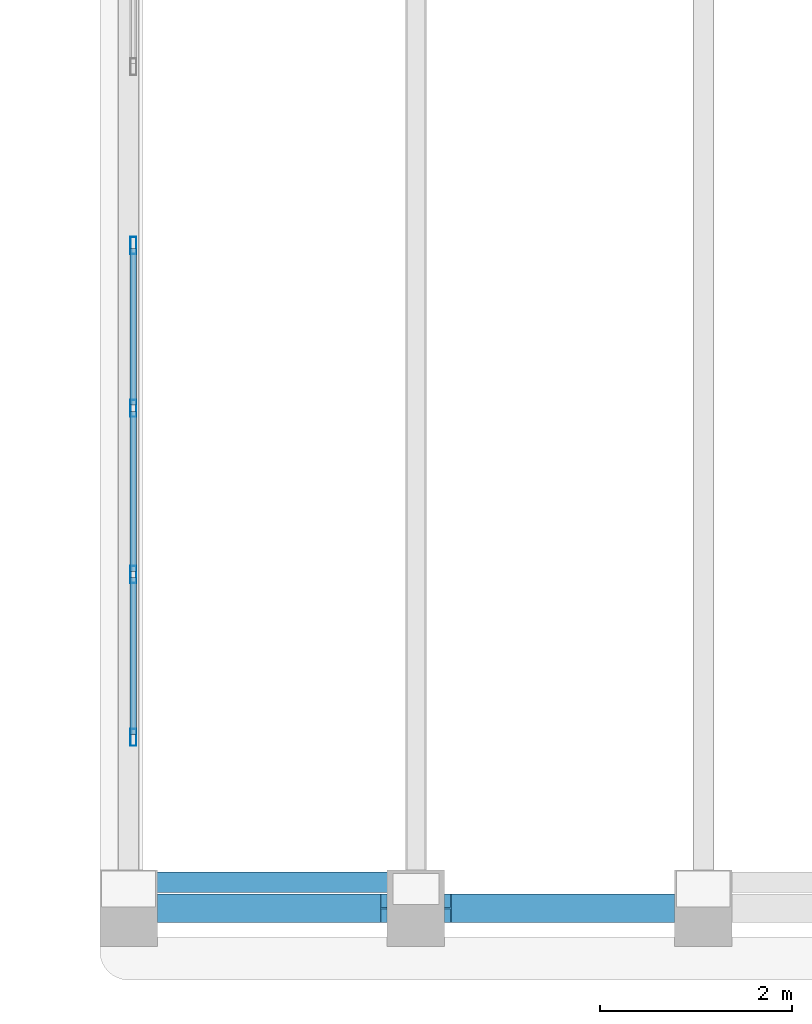
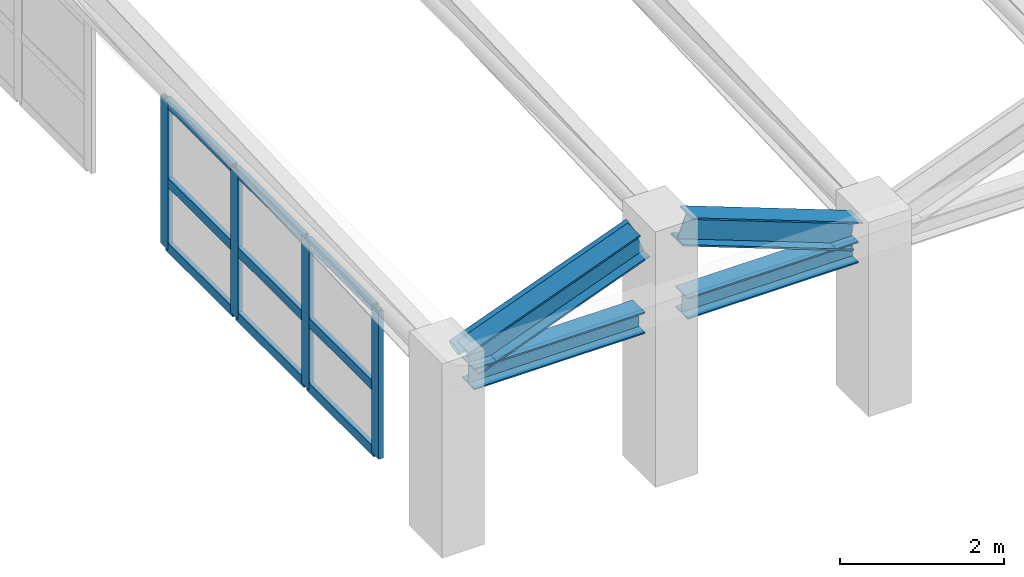
# One storey, part 9 of 128: 14 members, 4 beams, 1 element without a shape of its own.
"""IFC4 building model written with IfcOpenShell, lengths in metres."""

from ifc_helpers import new_model, si_unit, direction, frame, origin, origin_2d, place, context, subcontext, project, spatial, hollow_rectangle, hollow_circle, i_section, extrude, material, layer, layer_set, material_profile, profile_set, type_object, element, aggregate, save


model = new_model("IFC4")

# Units and contexts
model_context = context("Model", 3, precision=1e-05, world=origin(), true_north=direction((0.0, 1.0)))
body_context = subcontext(model_context, "Body", "Model", "MODEL_VIEW")
ifc_project = project(units=[si_unit("LENGTHUNIT", "METRE"), si_unit("AREAUNIT", "SQUARE_METRE"), si_unit("VOLUMEUNIT", "CUBIC_METRE"), si_unit("PLANEANGLEUNIT", "RADIAN"), si_unit("MASSUNIT", "GRAM", prefix="KILO")], contexts=[model_context])

# Site, building, storey
site_placement = place(None, origin())
site = spatial("IfcSite", under=ifc_project, at=site_placement, CompositionType="ELEMENT")
building_placement = place(site_placement, origin())
building = spatial("IfcBuilding", under=site, at=building_placement, Name="Keldmere Railside Commons", CompositionType="ELEMENT")
storey_placement = place(building_placement, frame((0.0, 0.0, 4.159912109375)))
storey = spatial("IfcBuildingStorey", under=building, at=storey_placement, Name="L01", CompositionType="ELEMENT", Elevation=4.159912109375)

# Curtain wall, members
ifc_material_1 = material(Name="Thermally Broken Aluminium", Category="aluminium")
ifc_layer = layer(ifc_material_1, 0.159912109375, Name="Community Hall Side Clerestory CW 5200x2200")
ifc_layer_set = layer_set([ifc_layer], Name="Thermally Broken Aluminium")
curtain_wall_type = type_object("IfcCurtainWallType", Name="Community Hall Side Clerestory CW 5200x2200", PredefinedType="NOTDEFINED", material=ifc_layer_set)
curtain_wall_placement = place(storey_placement, origin())
curtain_wall = element("IfcCurtainWall", 1, at=curtain_wall_placement, inside=storey, type_object=curtain_wall_type, Name="CW-06 CW-L01-203", PredefinedType="NOTDEFINED")
ifc_material_profile_1 = material_profile(ifc_material_1, hollow_rectangle(XDim=0.06494140625, YDim=0.179931640625, WallThickness=0.00390625, at=origin_2d()), Name="ALU-MULL-65x180")
ifc_profile_set_1 = profile_set([ifc_material_profile_1], Name="Thermally Broken Aluminium")
member_type_1 = type_object("IfcMemberType", Name="Civic Tall Curtain Wall Mullion 65x180", PredefinedType="MULLION", material=ifc_profile_set_1)
member_1_placement = place(storey_placement, frame((64.050048828125, 14.232421875, 0.090087890625), z_axis=(0.0, 0.0, 1.0), x_axis=(-1.0, 0.0, 0.0)))
member_1 = element("IfcMember", 2, at=member_1_placement, type_object=member_type_1, Name="CW-06 mullion 1", PredefinedType="MULLION", context=body_context, shape_type="SweptSolid", body=[
    extrude(hollow_rectangle(XDim=0.06494140625, YDim=0.179931640625, WallThickness=0.00390625, at=origin_2d()), origin(), (0.0, 0.0, 1.0), 2.199951171875),
])
member_2_placement = place(storey_placement, frame((64.050048828125, 15.933349609375, 0.090087890625), z_axis=(0.0, 0.0, 1.0), x_axis=(-1.0, 0.0, 0.0)))
member_2 = element("IfcMember", 3, at=member_2_placement, type_object=member_type_1, Name="CW-06 mullion 2", PredefinedType="MULLION", context=body_context, shape_type="SweptSolid", body=[
    extrude(hollow_rectangle(XDim=0.06494140625, YDim=0.179931640625, WallThickness=0.00390625, at=origin_2d()), origin(), (0.0, 0.0, 1.0), 2.199951171875),
])
member_3_placement = place(storey_placement, frame((64.050048828125, 17.666748046875, 0.090087890625), z_axis=(0.0, 0.0, 1.0), x_axis=(-1.0, 0.0, 0.0)))
member_3 = element("IfcMember", 4, at=member_3_placement, type_object=member_type_1, Name="CW-06 mullion 3", PredefinedType="MULLION", context=body_context, shape_type="SweptSolid", body=[
    extrude(hollow_rectangle(XDim=0.06494140625, YDim=0.179931640625, WallThickness=0.00390625, at=origin_2d()), origin(), (0.0, 0.0, 1.0), 2.199951171875),
])
member_4_placement = place(storey_placement, frame((64.050048828125, 19.367431640625, 0.090087890625), z_axis=(0.0, 0.0, 1.0), x_axis=(-1.0, 0.0, 0.0)))
member_4 = element("IfcMember", 5, at=member_4_placement, type_object=member_type_1, Name="CW-06 mullion 4", PredefinedType="MULLION", context=body_context, shape_type="SweptSolid", body=[
    extrude(hollow_rectangle(XDim=0.06494140625, YDim=0.179931640625, WallThickness=0.00390625, at=origin_2d()), origin(), (0.0, 0.0, 1.0), 2.199951171875),
])
ifc_material_profile_2 = material_profile(ifc_material_1, hollow_rectangle(XDim=0.06494140625, YDim=0.139892578125, WallThickness=0.00390625, at=origin_2d()), Name="ALU-TRAN-65x140")
ifc_profile_set_2 = profile_set([ifc_material_profile_2], Name="Thermally Broken Aluminium")
member_type_2 = type_object("IfcMemberType", Name="Civic Tall Curtain Wall Transom 65x140", PredefinedType="USERDEFINED", material=ifc_profile_set_2)
member_5_placement = place(storey_placement, frame((64.050048828125, 14.264892578125, 0.12255859375), z_axis=(0.0, 1.0, 0.0), x_axis=(-1.0, 0.0, 0.0)))
member_5 = element("IfcMember", 6, at=member_5_placement, type_object=member_type_2, Name="CW-06 transom 1.1", ObjectType="TRANSOM", PredefinedType="USERDEFINED", context=body_context, shape_type="SweptSolid", body=[
    extrude(hollow_rectangle(XDim=0.06494140625, YDim=0.139892578125, WallThickness=0.00390625, at=origin_2d()), origin(), (0.0, 0.0, 1.0), 1.635986328125),
])
member_6_placement = place(storey_placement, frame((64.050048828125, 14.264892578125, 1.090087890625), z_axis=(0.0, 1.0, 0.0), x_axis=(-1.0, 0.0, 0.0)))
member_6 = element("IfcMember", 7, at=member_6_placement, type_object=member_type_2, Name="CW-06 transom 1.2", ObjectType="TRANSOM", PredefinedType="USERDEFINED", context=body_context, shape_type="SweptSolid", body=[
    extrude(hollow_rectangle(XDim=0.06494140625, YDim=0.139892578125, WallThickness=0.00390625, at=origin_2d()), origin(), (0.0, 0.0, 1.0), 1.635986328125),
])
member_7_placement = place(storey_placement, frame((64.050048828125, 14.264892578125, 2.257568359375), z_axis=(0.0, 1.0, 0.0), x_axis=(-1.0, 0.0, 0.0)))
member_7 = element("IfcMember", 8, at=member_7_placement, type_object=member_type_2, Name="CW-06 transom 1.3", ObjectType="TRANSOM", PredefinedType="USERDEFINED", context=body_context, shape_type="SweptSolid", body=[
    extrude(hollow_rectangle(XDim=0.06494140625, YDim=0.139892578125, WallThickness=0.00390625, at=origin_2d()), origin(), (0.0, 0.0, 1.0), 1.635986328125),
])
member_8_placement = place(storey_placement, frame((64.050048828125, 15.9658203125, 0.12255859375), z_axis=(0.0, 1.0, 0.0), x_axis=(-1.0, 0.0, 0.0)))
member_8 = element("IfcMember", 9, at=member_8_placement, type_object=member_type_2, Name="CW-06 transom 2.1", ObjectType="TRANSOM", PredefinedType="USERDEFINED", context=body_context, shape_type="SweptSolid", body=[
    extrude(hollow_rectangle(XDim=0.06494140625, YDim=0.139892578125, WallThickness=0.00390625, at=origin_2d()), origin(), (0.0, 0.0, 1.0), 1.66845703125),
])
member_9_placement = place(storey_placement, frame((64.050048828125, 15.9658203125, 1.090087890625), z_axis=(0.0, 1.0, 0.0), x_axis=(-1.0, 0.0, 0.0)))
member_9 = element("IfcMember", 10, at=member_9_placement, type_object=member_type_2, Name="CW-06 transom 2.2", ObjectType="TRANSOM", PredefinedType="USERDEFINED", context=body_context, shape_type="SweptSolid", body=[
    extrude(hollow_rectangle(XDim=0.06494140625, YDim=0.139892578125, WallThickness=0.00390625, at=origin_2d()), origin(), (0.0, 0.0, 1.0), 1.66845703125),
])
member_10_placement = place(storey_placement, frame((64.050048828125, 15.9658203125, 2.257568359375), z_axis=(0.0, 1.0, 0.0), x_axis=(-1.0, 0.0, 0.0)))
member_10 = element("IfcMember", 11, at=member_10_placement, type_object=member_type_2, Name="CW-06 transom 2.3", ObjectType="TRANSOM", PredefinedType="USERDEFINED", context=body_context, shape_type="SweptSolid", body=[
    extrude(hollow_rectangle(XDim=0.06494140625, YDim=0.139892578125, WallThickness=0.00390625, at=origin_2d()), origin(), (0.0, 0.0, 1.0), 1.66845703125),
])
member_11_placement = place(storey_placement, frame((64.050048828125, 17.69921875, 0.12255859375), z_axis=(0.0, 1.0, 0.0), x_axis=(-1.0, 0.0, 0.0)))
member_11 = element("IfcMember", 12, at=member_11_placement, type_object=member_type_2, Name="CW-06 transom 3.1", ObjectType="TRANSOM", PredefinedType="USERDEFINED", context=body_context, shape_type="SweptSolid", body=[
    extrude(hollow_rectangle(XDim=0.06494140625, YDim=0.139892578125, WallThickness=0.00390625, at=origin_2d()), origin(), (0.0, 0.0, 1.0), 1.6357421875),
])
member_12_placement = place(storey_placement, frame((64.050048828125, 17.69921875, 1.090087890625), z_axis=(0.0, 1.0, 0.0), x_axis=(-1.0, 0.0, 0.0)))
member_12 = element("IfcMember", 13, at=member_12_placement, type_object=member_type_2, Name="CW-06 transom 3.2", ObjectType="TRANSOM", PredefinedType="USERDEFINED", context=body_context, shape_type="SweptSolid", body=[
    extrude(hollow_rectangle(XDim=0.06494140625, YDim=0.139892578125, WallThickness=0.00390625, at=origin_2d()), origin(), (0.0, 0.0, 1.0), 1.6357421875),
])
member_13_placement = place(storey_placement, frame((64.050048828125, 17.69921875, 2.257568359375), z_axis=(0.0, 1.0, 0.0), x_axis=(-1.0, 0.0, 0.0)))
member_13 = element("IfcMember", 14, at=member_13_placement, type_object=member_type_2, Name="CW-06 transom 3.3", ObjectType="TRANSOM", PredefinedType="USERDEFINED", context=body_context, shape_type="SweptSolid", body=[
    extrude(hollow_rectangle(XDim=0.06494140625, YDim=0.139892578125, WallThickness=0.00390625, at=origin_2d()), origin(), (0.0, 0.0, 1.0), 1.6357421875),
])
aggregate(curtain_wall, [member_1, member_2, member_3, member_4, member_5, member_6, member_7, member_8, member_9, member_10, member_11, member_12, member_13])

# Beams
ifc_material_2 = material(Name="Steel F-36 (S355)", Category="steel")
ifc_material_profile_3 = material_profile(ifc_material_2, i_section(OverallWidth=0.300048828125, OverallDepth=0.320068359375, WebThickness=0.011474609375, FlangeThickness=0.0205078125, at=origin_2d()), Name="HEB-320")
ifc_profile_set_3 = profile_set([ifc_material_profile_3], Name="Steel F-36 (S355)")
beam_type_1 = type_object("IfcBeamType", Name="Folded-Plate Eave Edge Beam HEB320", PredefinedType="BEAM", material=ifc_profile_set_3)
for number, where, z_axis, x_axis, name in (
    (15, (64.300048828125, 12.449951171875, 2.300048828125), (1.0, 0.0, 0.0), (0.0, 1.0, 0.0), "FPE-1 BM-L01-2571"),
    (16, (67.300048828125, 12.449951171875, 2.300048828125), (1.0, 0.0, 0.0), (0.0, 1.0, 0.0), "FPE-1 BM-L01-2572"),
):
    element("IfcBeam", number, at=place(storey_placement, frame(where, z_axis=z_axis, x_axis=x_axis)), inside=storey, type_object=beam_type_1, Name=name, PredefinedType="BEAM", context=body_context, shape_type="SweptSolid", body=[
        extrude(i_section(OverallWidth=0.300048828125, OverallDepth=0.320068359375, WebThickness=0.011474609375, FlangeThickness=0.0205078125, at=origin_2d()), origin(), (0.0, 0.0, 1.0), 2.39990234375),
    ])
ifc_material_profile_4 = material_profile(ifc_material_2, i_section(OverallWidth=0.300048828125, OverallDepth=0.39990234375, WebThickness=0.013427734375, FlangeThickness=0.02392578125, at=origin_2d()), Name="HEB-400")
ifc_profile_set_4 = profile_set([ifc_material_profile_4], Name="Steel F-36 (S355)")
beam_type_2 = type_object("IfcBeamType", Name="Folded-Plate End Diaphragm Girder HEB400", PredefinedType="BEAM", material=ifc_profile_set_4)
for number, where, z_axis, x_axis, name in (
    (17, (64.300048828125, 12.449951171875, 2.530029296875), (0.935017102345, 0.0, 0.354602620299), (0.0, 1.0, 0.0), "FPD-1 BM-L01-2577"),
    (18, (67.300048828125, 12.449951171875, 3.440185546875), (0.935017102345, 0.0, -0.354602620299), (0.0, 1.0, 0.0), "FPD-1 BM-L01-2578"),
):
    element("IfcBeam", number, at=place(storey_placement, frame(where, z_axis=z_axis, x_axis=x_axis)), inside=storey, type_object=beam_type_2, Name=name, PredefinedType="BEAM", context=body_context, shape_type="SweptSolid", body=[
        extrude(i_section(OverallWidth=0.300048828125, OverallDepth=0.39990234375, WebThickness=0.013427734375, FlangeThickness=0.02392578125, at=origin_2d()), origin(), (0.0, 0.0, 1.0), 2.566650390625),
    ])

# Member
ifc_material_profile_5 = material_profile(ifc_material_2, hollow_circle(Radius=0.109619140625, WallThickness=0.008056640625, at=origin_2d()), Name="CHS-219x8")
ifc_profile_set_5 = profile_set([ifc_material_profile_5], Name="Steel F-36 (S355)")
member_type_3 = type_object("IfcMemberType", Name="Hall Roof Lateral Diagonal Brace CHS219", PredefinedType="BRACE", material=ifc_profile_set_5)
member_14_placement = place(storey_placement, frame((64.260009765625, 12.719970703125, 2.530029296875), z_axis=(0.9363064477, 0.0, 0.351184048606), x_axis=(0.0, 1.0, 0.0)))
element("IfcMember", 19, at=member_14_placement, inside=storey, type_object=member_type_3, Name="BR-1 MEM-BR-003", PredefinedType="BRACE", context=body_context, shape_type="SweptSolid", body=[
    extrude(hollow_circle(Radius=0.109619140625, WallThickness=0.008056640625, at=origin_2d()), origin(), (0.0, 0.0, 1.0), 2.648681640625),
])

save(model, "model.ifc")
